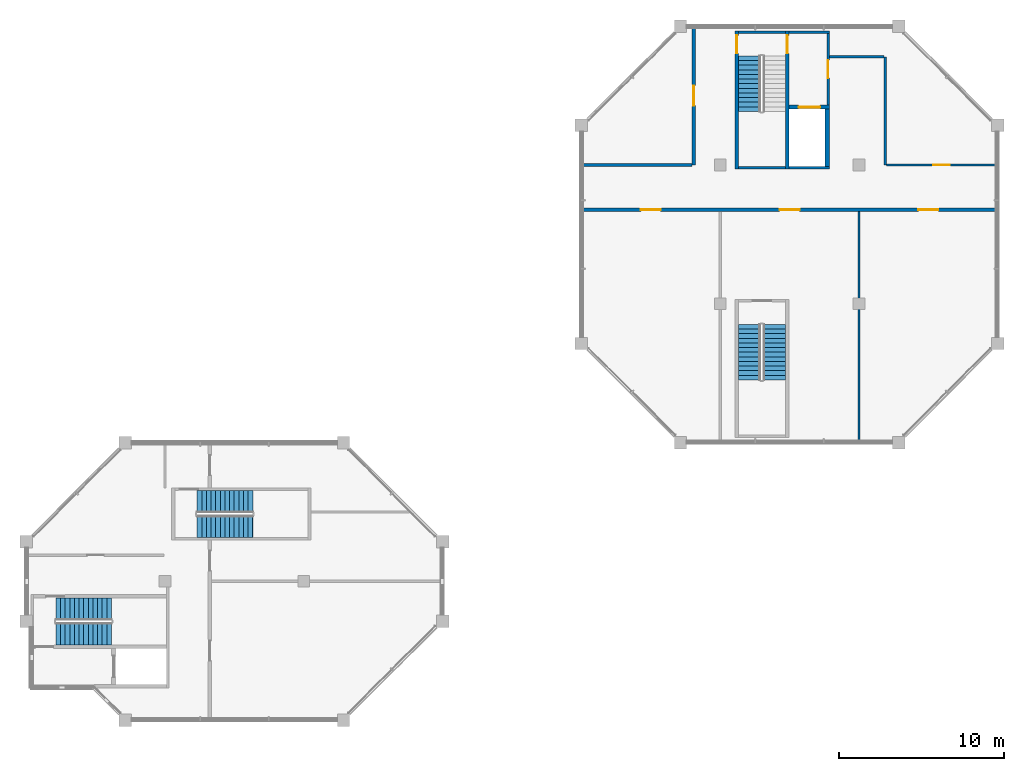
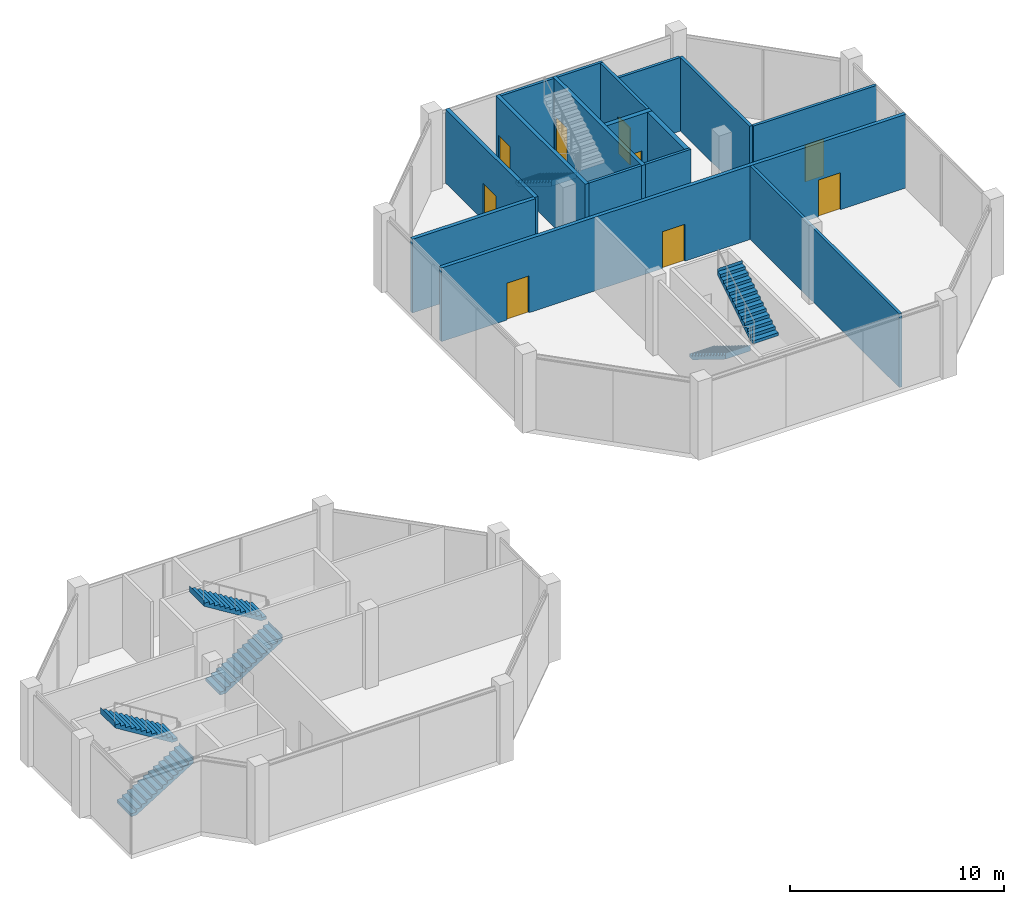
# One storey, part 6 of 9: 16 walls, 9 doors, 7 stair flights, 9 openings, 4 elements without a shape of their own.
"""IFC4 building model written with IfcOpenShell, lengths in metres."""

import ifcopenshell
import ifcopenshell.guid

model = None  # the IFC model being written
_history = None  # IfcOwnerHistory: only IFC2X3 demands one
_inside = {}  # id of a spatial element -> (the spatial element, [elements in it])
_under = {}  # id of a project, library or spatial element -> (it, [spatial elements below it])
_declared = {}  # id of a project -> (the project, [libraries it declares])
_typed = {}  # id of a type object -> (the type object, [elements of that type])
_made_of = {}  # id of a material, layer set ... -> (it, [elements and type objects made of it])


def new_model(schema):
    """Start an empty IFC model of exactly this schema.

    Asked for "IFC4X3", IfcOpenShell would pick the latest addendum, in which some entities
    have other attributes; the version numbers below select the first issue.
    IFC2X3 requires an IfcOwnerHistory on every rooted entity: one is made here for all.
    """
    global model, _history
    if schema == "IFC4X3":
        model = ifcopenshell.file(schema_version=(4, 3, 0, 0))
    else:
        model = ifcopenshell.file(schema=schema)
    _inside.clear()
    _under.clear()
    _declared.clear()
    _typed.clear()
    _made_of.clear()
    _history = None
    if model.schema == "IFC2X3":
        org = make("IfcOrganization", Name="unknown")
        user = make(
            "IfcPersonAndOrganization",
            ThePerson=make("IfcPerson", FamilyName="unknown"),
            TheOrganization=org,
        )
        app = make(
            "IfcApplication",
            ApplicationDeveloper=org,
            Version="unknown",
            ApplicationFullName="unknown",
            ApplicationIdentifier="unknown",
        )
        _history = make(
            "IfcOwnerHistory",
            OwningUser=user,
            OwningApplication=app,
            ChangeAction="ADDED",
            CreationDate=0,
        )
    return model


def make(cls, **values):
    """One entity of the class cls with the attributes given. An attribute that is None is left unset."""
    return model.create_entity(
        cls, **{name: value for name, value in values.items() if value is not None}
    )


def rooted(cls, **values):
    """An entity with a GlobalId (a new one), such as an element, a storey or a relation."""
    return make(cls, GlobalId=ifcopenshell.guid.new(), OwnerHistory=_history, **values)


def si_unit(unit_type, name, prefix=None):
    """IfcSIUnit, for example si_unit("LENGTHUNIT", "METRE", prefix="MILLI")."""
    return make("IfcSIUnit", UnitType=unit_type, Prefix=prefix, Name=name)


def assignment(units):
    """IfcUnitAssignment: the units of a project."""
    return None if units is None else make("IfcUnitAssignment", Units=units)


def point(xyz):
    """IfcCartesianPoint."""
    return None if xyz is None else make("IfcCartesianPoint", Coordinates=xyz)


def direction(xyz):
    """IfcDirection."""
    return None if xyz is None else make("IfcDirection", DirectionRatios=xyz)


def frame(location, z_axis=None, x_axis=None):
    """IfcAxis2Placement3D, a coordinate frame: its origin and axes. An axis left out is left unset."""
    return make(
        "IfcAxis2Placement3D",
        Location=point(location),
        Axis=direction(z_axis),
        RefDirection=direction(x_axis),
    )


def frame_2d(location, x_axis=None):
    """IfcAxis2Placement2D, a coordinate frame in the plane: its origin and x axis."""
    return make(
        "IfcAxis2Placement2D", Location=point(location), RefDirection=direction(x_axis)
    )


def origin():
    """The frame at (0, 0, 0) with its axes left unset."""
    return frame((0.0, 0.0, 0.0))


def place(relative_to, where):
    """IfcLocalPlacement: puts the frame where relative to a parent placement (None: the world)."""
    return make(
        "IfcLocalPlacement", PlacementRelTo=relative_to, RelativePlacement=where
    )


def context(
    kind, dimensions, precision=None, world=None, true_north=None, identifier=None
):
    """IfcGeometricRepresentationContext, for example the 3D "Model" context."""
    return make(
        "IfcGeometricRepresentationContext",
        ContextIdentifier=identifier,
        ContextType=kind,
        CoordinateSpaceDimension=dimensions,
        Precision=precision,
        WorldCoordinateSystem=world,
        TrueNorth=true_north,
    )


def subcontext(parent, identifier, kind, view, scale=None):
    """IfcGeometricRepresentationSubContext, for example "Body" below "Model"."""
    return make(
        "IfcGeometricRepresentationSubContext",
        ContextIdentifier=identifier,
        ContextType=kind,
        ParentContext=parent,
        TargetScale=scale,
        TargetView=view,
    )


def project(units=None, contexts=None):
    """IfcProject with its units and contexts."""
    return rooted(
        "IfcProject",
        Name="project",
        RepresentationContexts=contexts,
        UnitsInContext=assignment(units),
    )


def spatial(cls, under=None, at=None, **own):
    """A site, building, storey or space (cls), placed at a placement, below another one or the project."""
    s = rooted(cls, ObjectPlacement=at, **own)
    if under is not None:
        _under.setdefault(under.id(), (under, []))[1].append(s)
    return s


def polyline(points):
    """IfcPolyline through the points."""
    return make("IfcPolyline", Points=[point(p) for p in points])


def profile(cls, at=None, kind="AREA", **sizes):
    """A parametric profile (cls). Its sizes go by their IFC names, for example OverallWidth=200.0."""
    return make(cls, ProfileType=kind, Position=at, **sizes)


def rectangle(**sizes):
    """IfcRectangleProfileDef."""
    return profile("IfcRectangleProfileDef", **sizes)


def outline(outer, holes=None, kind="AREA"):
    """IfcArbitraryClosedProfileDef: a profile drawn as a closed curve; with holes, ...WithVoids."""
    if holes is None:
        return make("IfcArbitraryClosedProfileDef", ProfileType=kind, OuterCurve=outer)
    return make(
        "IfcArbitraryProfileDefWithVoids",
        ProfileType=kind,
        OuterCurve=outer,
        InnerCurves=holes,
    )


def extrude(swept, where, along, depth):
    """IfcExtrudedAreaSolid: the profile swept, set in the frame where, extruded along a direction by depth."""
    return make(
        "IfcExtrudedAreaSolid",
        SweptArea=swept,
        Position=where,
        ExtrudedDirection=direction(along),
        Depth=depth,
    )


def shape(context_of_items, identifier, shape_type, items):
    """IfcShapeRepresentation: the items that make up one representation, for example the "Body"."""
    return make(
        "IfcShapeRepresentation",
        ContextOfItems=context_of_items,
        RepresentationIdentifier=identifier,
        RepresentationType=shape_type,
        Items=items,
    )


def material(Name=None, Category=None):
    """IfcMaterial."""
    return make("IfcMaterial", Name=Name, Category=Category)


def layer(
    of_material, thickness, ventilated=None, Name=None, Category=None, Priority=None
):
    """IfcMaterialLayer: one layer of a wall or slab, of a material (None: an air gap)."""
    return make(
        "IfcMaterialLayer",
        Material=of_material,
        LayerThickness=thickness,
        IsVentilated=ventilated,
        Name=Name,
        Category=Category,
        Priority=Priority,
    )


def layer_set(layers, Name=None):
    """IfcMaterialLayerSet."""
    return make("IfcMaterialLayerSet", MaterialLayers=layers, LayerSetName=Name)


def made_of(thing, what):
    """Note that an element or type object is made of a material, layer set ...; save() writes the relation."""
    if what is not None:
        _made_of.setdefault(what.id(), (what, []))[1].append(thing)
    return thing


def type_object(cls, material=None, **own):
    """A type object (cls), such as IfcWallType, which elements share."""
    return made_of(rooted(cls, **own), material)


def element(
    cls,
    number,
    at=None,
    inside=None,
    cuts=None,
    type_object=None,
    material=None,
    context=None,
    identifier="Body",
    shape_type=None,
    held_by="IfcProductDefinitionShape",
    body=None,
    shapes=None,
    **own,
):
    """One element of the class cls, such as IfcWall. Its Tag is "e" and its number.

    at: its placement. inside: the storey or other place that contains it. cuts: it is an
    opening in that element (IfcRelVoidsElement). A single representation is given by context,
    identifier, shape_type and body (its items); several are given by shapes. held_by: the class
    of the entity that holds the representations. save() writes the other relations.
    """
    e = rooted(cls, Tag="e%d" % number, ObjectPlacement=at, **own)
    if body is not None:
        shapes = [shape(context, identifier, shape_type, body)]
    if shapes is not None:
        e.Representation = make(held_by, Representations=shapes)
    if inside is not None:
        _inside.setdefault(inside.id(), (inside, []))[1].append(e)
    if cuts is not None:
        rooted(
            "IfcRelVoidsElement", RelatingBuildingElement=cuts, RelatedOpeningElement=e
        )
    if type_object is not None:
        _typed.setdefault(type_object.id(), (type_object, []))[1].append(e)
    return made_of(e, material)


def fill(opening, filler):
    """IfcRelFillsElement: the door or window that sits in an opening."""
    return rooted(
        "IfcRelFillsElement",
        RelatingOpeningElement=opening,
        RelatedBuildingElement=filler,
    )


def aggregate(whole, parts):
    """IfcRelAggregates: a whole, such as a stair, and the parts it consists of."""
    return rooted("IfcRelAggregates", RelatingObject=whole, RelatedObjects=parts)


def save(model, path):
    """Write the relations noted so far, then the file.

    IfcRelAggregates (storeys below a building ...), IfcRelContainedInSpatialStructure (elements
    in a storey), IfcRelDefinesByType, IfcRelAssociatesMaterial and IfcRelDeclares: one each for
    every whole, place, type object, material and project.
    """
    for whole, parts in _under.values():
        aggregate(whole, parts)
    for where, things in _inside.values():
        rooted(
            "IfcRelContainedInSpatialStructure",
            RelatedElements=things,
            RelatingStructure=where,
        )
    for kind, things in _typed.values():
        rooted("IfcRelDefinesByType", RelatedObjects=things, RelatingType=kind)
    for what, things in _made_of.values():
        rooted("IfcRelAssociatesMaterial", RelatedObjects=things, RelatingMaterial=what)
    for by, libraries in _declared.values():
        rooted("IfcRelDeclares", RelatingContext=by, RelatedDefinitions=libraries)
    model.write(path)


model = new_model("IFC4")

# Units and contexts
model_context = context("Model", 3, precision=1e-05, world=origin(), true_north=direction((0.0, 1.0)))
body_context = subcontext(model_context, "Body", "Model", "MODEL_VIEW")
ifc_project = project(units=[si_unit("LENGTHUNIT", "METRE"), si_unit("AREAUNIT", "SQUARE_METRE"), si_unit("VOLUMEUNIT", "CUBIC_METRE"), si_unit("PLANEANGLEUNIT", "RADIAN"), si_unit("MASSUNIT", "GRAM", prefix="KILO")], contexts=[model_context])

# Site, building, storey
site_placement = place(None, origin())
site = spatial("IfcSite", under=ifc_project, at=site_placement, CompositionType="ELEMENT")
building_placement = place(site_placement, origin())
building = spatial("IfcBuilding", under=site, at=building_placement, Name="Kawkab Arch Medical Tower", CompositionType="ELEMENT")
storey_placement = place(building_placement, frame((0.0, 0.0, 345.699951171875)))
storey = spatial("IfcBuildingStorey", under=building, at=storey_placement, Name="L80", CompositionType="ELEMENT", Elevation=345.699951171875)

# Wall, opening, door
ifc_material_1 = material(Name="Gypsum board on steel studs", Category="steel")
ifc_layer_1 = layer(ifc_material_1, 0.14990234375)
ifc_layer_set_1 = layer_set([ifc_layer_1], Name="Gypsum board on steel studs")
wall_type_1 = type_object("IfcWallType", Name="Core room partition 150", PredefinedType="PARTITIONING", material=ifc_layer_set_1)
wall_1_placement = place(storey_placement, frame((48.52490234375, -4.77490234375, 0.0), z_axis=(0.0, 0.0, 1.0), x_axis=(0.0, 1.0, 0.0)))
wall_1 = element("IfcWall", 1, at=wall_1_placement, inside=storey, type_object=wall_type_1, Name="L80 core room partition", PredefinedType="PARTITIONING", context=body_context, shape_type="SweptSolid", body=[
    extrude(rectangle(XDim=4.324951171875, YDim=0.14990234375, at=frame_2d((2.16259765625, 0.0))), origin(), (0.0, 0.0, 1.0), 4.199951171875),
])
opening_1_placement = place(wall_1_placement, frame((1.625, 0.0, 0.0)))
opening_1 = element("IfcOpeningElement", 2, at=opening_1_placement, cuts=wall_1, Name="Opening FD", PredefinedType="OPENING", context=body_context, shape_type="SweptSolid", body=[
    extrude(rectangle(XDim=1.10009765625, YDim=2.10009765625, at=frame_2d((0.550048828125, 1.050048828125))), frame((0.0, 0.0849609375, 0.0), z_axis=(0.0, -1.0, 0.0), x_axis=(1.0, 0.0, 0.0)), (0.0, 0.0, 1.0), 0.169921875),
])
ifc_material_2 = material(Name="Hollow metal fire door leaf")
door_type_1 = type_object("IfcDoorType", Name="Firefighting lobby door 1100", OperationType="SINGLE_SWING_LEFT", PredefinedType="DOOR", material=ifc_material_2)
door_1_placement = place(opening_1_placement, origin())
door_1 = element("IfcDoor", 3, at=door_1_placement, inside=storey, type_object=door_type_1, Name="L80 Service lift lobby door SV1", OperationType="SINGLE_SWING_LEFT", OverallHeight=2.10009765625, OverallWidth=1.10009765625, PredefinedType="DOOR", context=body_context, shape_type="SweptSolid", body=[
    extrude(rectangle(XDim=1.10009765625, YDim=2.10009765625, at=frame_2d((0.550048828125, 1.050048828125))), frame((0.0, 0.02490234375, 0.0), z_axis=(0.0, -1.0, 0.0), x_axis=(1.0, 0.0, 0.0)), (0.0, 0.0, 1.0), 0.050048828125),
])
fill(opening_1, door_1)

ifc_material_3 = material(Name="Concrete C60/75", Category="concrete")
ifc_layer_2 = layer(ifc_material_3, 0.25)
ifc_layer_set_2 = layer_set([ifc_layer_2], Name="Concrete C60/75")
wall_type_2 = type_object("IfcWallType", Name="Core shear wall 250 C60/75", PredefinedType="SHEAR", material=ifc_layer_set_2)
wall_2_placement = place(storey_placement, frame((46.14990234375, -4.89990234375, 0.0), z_axis=(0.0, 0.0, 1.0), x_axis=(1.0, 0.0, 0.0)))
wall_2 = element("IfcWall", 4, at=wall_2_placement, inside=storey, type_object=wall_type_2, Name="L80 core shear wall", PredefinedType="SHEAR", context=body_context, shape_type="SweptSolid", body=[
    extrude(rectangle(XDim=2.4501953125, YDim=0.25, at=frame_2d((1.22509765625, 0.0))), origin(), (0.0, 0.0, 1.0), 4.199951171875),
])
opening_2_placement = place(wall_2_placement, frame((0.60009765625, 0.0, 0.0)))
opening_2 = element("IfcOpeningElement", 5, at=opening_2_placement, cuts=wall_2, Name="Opening LD2", PredefinedType="OPENING", context=body_context, shape_type="SweptSolid", body=[
    extrude(rectangle(XDim=1.300048828125, YDim=2.10009765625, at=frame_2d((0.64990234375, 1.050048828125))), frame((0.0, 0.135009765625, 0.0), z_axis=(0.0, -1.0, 0.0), x_axis=(1.0, 0.0, 0.0)), (0.0, 0.0, 1.0), 0.27001953125),
])
ifc_material_4 = material(Name="Stainless steel lift door leaf", Category="steel")
door_type_2 = type_object("IfcDoorType", Name="Lift landing door 1300", OperationType="DOUBLE_DOOR_SLIDING", PredefinedType="DOOR", material=ifc_material_4)
door_2_placement = place(opening_2_placement, origin())
door_2 = element("IfcDoor", 6, at=door_2_placement, inside=storey, type_object=door_type_2, Name="L80 Lift landing door SV1", OperationType="DOUBLE_DOOR_SLIDING", OverallHeight=2.10009765625, OverallWidth=1.300048828125, PredefinedType="DOOR", context=body_context, shape_type="SweptSolid", body=[
    extrude(rectangle(XDim=1.300048828125, YDim=2.10009765625, at=frame_2d((0.64990234375, 1.050048828125))), frame((0.0, 0.02490234375, 0.0), z_axis=(0.0, -1.0, 0.0), x_axis=(1.0, 0.0, 0.0)), (0.0, 0.0, 1.0), 0.050048828125),
])
fill(opening_2, door_2)

# Wall
wall_3_placement = place(storey_placement, frame((48.47509765625, -8.5, 0.0), z_axis=(0.0, 0.0, 1.0), x_axis=(0.0, 1.0, 0.0)))
element("IfcWall", 7, at=wall_3_placement, inside=storey, type_object=wall_type_2, Name="L80 core shear wall", PredefinedType="SHEAR", context=body_context, shape_type="SweptSolid", body=[
    extrude(rectangle(XDim=3.47509765625, YDim=0.25, at=frame_2d((1.737548828125, 0.0))), origin(), (0.0, 0.0, 1.0), 4.199951171875),
])

# Wall, opening, door
ifc_material_5 = material(Name="Gypsum board partition on steel studs, mineral wool", Category="steel")
ifc_layer_3 = layer(ifc_material_5, 0.14990234375)
ifc_layer_set_3 = layer_set([ifc_layer_3], Name="Gypsum board partition on steel studs, mineral wool")
wall_type_3 = type_object("IfcWallType", Name="Partition 150", PredefinedType="PARTITIONING", material=ifc_layer_set_3)
wall_4_placement = place(storey_placement, frame((52.068115234375, -8.39990234375, 0.0), z_axis=(0.0, 0.0, 1.0), x_axis=(1.0, 0.0, 0.0)))
wall_4 = element("IfcWall", 8, at=wall_4_placement, inside=storey, type_object=wall_type_3, Name="Partition 150 w004", PredefinedType="PARTITIONING", context=body_context, shape_type="SweptSolid", body=[
    extrude(rectangle(XDim=6.65185546875, YDim=0.14990234375, at=frame_2d((3.325927734375, 0.0))), origin(), (0.0, 0.0, 1.0), 4.199951171875),
])
opening_3_placement = place(wall_4_placement, frame((2.8291015625, 0.0, 0.0)))
opening_3 = element("IfcOpeningElement", 9, at=opening_3_placement, cuts=wall_4, Name="Opening C80-001", PredefinedType="OPENING", context=body_context, shape_type="SweptSolid", body=[
    extrude(rectangle(XDim=1.0, YDim=2.10009765625, at=frame_2d((0.5, 1.050048828125))), frame((0.0, 0.0849609375, 0.0), z_axis=(0.0, -1.0, 0.0), x_axis=(1.0, 0.0, 0.0)), (0.0, 0.0, 1.0), 0.169921875),
])
ifc_material_6 = material(Name="Hollow metal door leaf")
door_type_3 = type_object("IfcDoorType", Name="Single door 1000x2100 FD30S", OperationType="NOTDEFINED", PredefinedType="DOOR", material=ifc_material_6)
door_3_placement = place(opening_3_placement, origin())
door_3 = element("IfcDoor", 10, at=door_3_placement, inside=storey, type_object=door_type_3, Name="Door C80-001", OperationType="SINGLE_SWING_RIGHT", OverallHeight=2.10009765625, OverallWidth=1.0, PredefinedType="DOOR", context=body_context, shape_type="SweptSolid", body=[
    extrude(rectangle(XDim=1.0, YDim=2.10009765625, at=frame_2d((0.5, 1.050048828125))), frame((0.0, 0.02490234375, 0.0), z_axis=(0.0, -1.0, 0.0), x_axis=(1.0, 0.0, 0.0)), (0.0, 0.0, 1.0), 0.050048828125),
])
fill(opening_3, door_3)

# Walls
wall_5_placement = place(storey_placement, frame((48.60009765625, -1.85009765625, 0.0), z_axis=(0.0, 0.0, 1.0), x_axis=(1.0, 0.0, 0.0)))
element("IfcWall", 11, at=wall_5_placement, inside=storey, type_object=wall_type_3, Name="Partition 150 w005", PredefinedType="PARTITIONING", context=body_context, shape_type="SweptSolid", body=[
    extrude(rectangle(XDim=3.31591796875, YDim=0.14990234375, at=frame_2d((1.657958984375, 0.0))), origin(), (0.0, 0.0, 1.0), 4.199951171875),
])
wall_6_placement = place(storey_placement, frame((50.39990234375, -25.1201171875, 0.0), z_axis=(0.0, 0.0, 1.0), x_axis=(0.0, 1.0, 0.0)))
element("IfcWall", 12, at=wall_6_placement, inside=storey, type_object=wall_type_3, Name="Partition 150 w008", PredefinedType="PARTITIONING", context=body_context, shape_type="SweptSolid", body=[
    extrude(rectangle(XDim=13.920166015625, YDim=0.14990234375, at=frame_2d((6.9599609375, 0.0))), origin(), (0.0, 0.0, 1.0), 4.199951171875),
])
wall_7_placement = place(storey_placement, frame((51.992919921875, -8.39990234375, 0.0), z_axis=(0.0, 0.0, 1.0), x_axis=(0.0, 1.0, 0.0)))
element("IfcWall", 13, at=wall_7_placement, inside=storey, type_object=wall_type_3, Name="Partition 150 w009", PredefinedType="PARTITIONING", context=body_context, shape_type="SweptSolid", body=[
    extrude(rectangle(XDim=6.5478515625, YDim=0.14990234375, at=frame_2d((3.27392578125, 0.0))), origin(), (0.0, 0.0, 1.0), 4.199951171875),
])

# Wall, openings, doors
ifc_material_7 = material(Name="Fire-rated gypsum board partition on steel studs", Category="steel")
ifc_layer_4 = layer(ifc_material_7, 0.199951171875)
ifc_layer_set_4 = layer_set([ifc_layer_4], Name="Fire-rated gypsum board partition on steel studs")
wall_type_4 = type_object("IfcWallType", Name="Protected partition 200", PredefinedType="PARTITIONING", material=ifc_layer_set_4)
wall_8_placement = place(storey_placement, frame((33.679931640625, -11.10009765625, 0.0), z_axis=(0.0, 0.0, 1.0), x_axis=(1.0, 0.0, 0.0)))
wall_8 = element("IfcWall", 14, at=wall_8_placement, inside=storey, type_object=wall_type_4, Name="Protected partition 200 w010", PredefinedType="PARTITIONING", context=body_context, shape_type="SweptSolid", body=[
    extrude(rectangle(XDim=25.0400390625, YDim=0.199951171875, at=frame_2d((12.52001953125, 0.0))), origin(), (0.0, 0.0, 1.0), 4.199951171875),
])
opening_4_placement = place(wall_8_placement, frame((3.52001953125, 0.0, 0.0)))
opening_4 = element("IfcOpeningElement", 15, at=opening_4_placement, cuts=wall_8, Name="Opening C80-003", PredefinedType="OPENING", context=body_context, shape_type="SweptSolid", body=[
    extrude(rectangle(XDim=1.199951171875, YDim=2.10009765625, at=frame_2d((0.60009765625, 1.050048828125))), frame((0.0, 0.10986328125, 0.0), z_axis=(0.0, -1.0, 0.0), x_axis=(1.0, 0.0, 0.0)), (0.0, 0.0, 1.0), 0.219970703125),
])
opening_5_placement = place(wall_8_placement, frame((11.919921875, 0.0, 0.0)))
opening_5 = element("IfcOpeningElement", 16, at=opening_5_placement, cuts=wall_8, Name="Opening C80-004", PredefinedType="OPENING", context=body_context, shape_type="SweptSolid", body=[
    extrude(rectangle(XDim=1.199951171875, YDim=2.10009765625, at=frame_2d((0.60009765625, 1.050048828125))), frame((0.0, 0.10986328125, 0.0), z_axis=(0.0, -1.0, 0.0), x_axis=(1.0, 0.0, 0.0)), (0.0, 0.0, 1.0), 0.219970703125),
])
opening_6_placement = place(wall_8_placement, frame((20.320068359375, 0.0, 0.0)))
opening_6 = element("IfcOpeningElement", 17, at=opening_6_placement, cuts=wall_8, Name="Opening C80-005", PredefinedType="OPENING", context=body_context, shape_type="SweptSolid", body=[
    extrude(rectangle(XDim=1.199951171875, YDim=2.10009765625, at=frame_2d((0.60009765625, 1.050048828125))), frame((0.0, 0.10986328125, 0.0), z_axis=(0.0, -1.0, 0.0), x_axis=(1.0, 0.0, 0.0)), (0.0, 0.0, 1.0), 0.219970703125),
])
ifc_material_8 = material(Name="Hollow metal door leaf")
door_type_4 = type_object("IfcDoorType", Name="Single door 1200x2100 FD60", OperationType="NOTDEFINED", PredefinedType="DOOR", material=ifc_material_8)
door_4_placement = place(opening_4_placement, origin())
door_4 = element("IfcDoor", 18, at=door_4_placement, inside=storey, type_object=door_type_4, Name="Door C80-003", OperationType="SINGLE_SWING_RIGHT", OverallHeight=2.10009765625, OverallWidth=1.199951171875, PredefinedType="DOOR", context=body_context, shape_type="SweptSolid", body=[
    extrude(rectangle(XDim=1.199951171875, YDim=2.10009765625, at=frame_2d((0.60009765625, 1.050048828125))), frame((0.0, 0.02490234375, 0.0), z_axis=(0.0, -1.0, 0.0), x_axis=(1.0, 0.0, 0.0)), (0.0, 0.0, 1.0), 0.050048828125),
])
fill(opening_4, door_4)
door_5_placement = place(opening_5_placement, origin())
door_5 = element("IfcDoor", 19, at=door_5_placement, inside=storey, type_object=door_type_4, Name="Door C80-004", OperationType="SINGLE_SWING_RIGHT", OverallHeight=2.10009765625, OverallWidth=1.199951171875, PredefinedType="DOOR", context=body_context, shape_type="SweptSolid", body=[
    extrude(rectangle(XDim=1.199951171875, YDim=2.10009765625, at=frame_2d((0.60009765625, 1.050048828125))), frame((0.0, 0.02490234375, 0.0), z_axis=(0.0, -1.0, 0.0), x_axis=(1.0, 0.0, 0.0)), (0.0, 0.0, 1.0), 0.050048828125),
])
fill(opening_5, door_5)
door_6_placement = place(opening_6_placement, origin())
door_6 = element("IfcDoor", 20, at=door_6_placement, inside=storey, type_object=door_type_4, Name="Door C80-005", OperationType="SINGLE_SWING_LEFT", OverallHeight=2.10009765625, OverallWidth=1.199951171875, PredefinedType="DOOR", context=body_context, shape_type="SweptSolid", body=[
    extrude(rectangle(XDim=1.199951171875, YDim=2.10009765625, at=frame_2d((0.60009765625, 1.050048828125))), frame((0.0, 0.02490234375, 0.0), z_axis=(0.0, -1.0, 0.0), x_axis=(1.0, 0.0, 0.0)), (0.0, 0.0, 1.0), 0.050048828125),
])
fill(opening_6, door_6)

# Wall
wall_9_placement = place(storey_placement, frame((33.679931640625, -8.39990234375, 0.0), z_axis=(0.0, 0.0, 1.0), x_axis=(1.0, 0.0, 0.0)))
element("IfcWall", 21, at=wall_9_placement, inside=storey, type_object=wall_type_4, Name="Protected partition 200 w011", PredefinedType="PARTITIONING", context=body_context, shape_type="SweptSolid", body=[
    extrude(rectangle(XDim=6.626953125, YDim=0.199951171875, at=frame_2d((3.3134765625, 0.0))), origin(), (0.0, 0.0, 1.0), 4.199951171875),
])

# Wall, opening, door
wall_10_placement = place(storey_placement, frame((40.406982421875, -8.39990234375, 0.0), z_axis=(0.0, 0.0, 1.0), x_axis=(0.0, 1.0, 0.0)))
wall_10 = element("IfcWall", 22, at=wall_10_placement, inside=storey, type_object=wall_type_4, Name="Protected partition 200 w014", PredefinedType="PARTITIONING", context=body_context, shape_type="SweptSolid", body=[
    extrude(rectangle(XDim=8.31982421875, YDim=0.199951171875, at=frame_2d((4.159912109375, 0.0))), origin(), (0.0, 0.0, 1.0), 4.199951171875),
])
opening_7_placement = place(wall_10_placement, frame((3.60009765625, 0.0, 0.0)))
opening_7 = element("IfcOpeningElement", 23, at=opening_7_placement, cuts=wall_10, Name="Opening C80-006", PredefinedType="OPENING", context=body_context, shape_type="SweptSolid", body=[
    extrude(rectangle(XDim=1.199951171875, YDim=2.10009765625, at=frame_2d((0.60009765625, 1.050048828125))), frame((0.0, 0.10986328125, 0.0), z_axis=(0.0, -1.0, 0.0), x_axis=(1.0, 0.0, 0.0)), (0.0, 0.0, 1.0), 0.219970703125),
])
door_7_placement = place(opening_7_placement, origin())
door_7 = element("IfcDoor", 24, at=door_7_placement, inside=storey, type_object=door_type_4, Name="Door C80-006", OperationType="SINGLE_SWING_LEFT", OverallHeight=2.10009765625, OverallWidth=1.199951171875, PredefinedType="DOOR", context=body_context, shape_type="SweptSolid", body=[
    extrude(rectangle(XDim=1.199951171875, YDim=2.10009765625, at=frame_2d((0.60009765625, 1.050048828125))), frame((0.0, 0.02490234375, 0.0), z_axis=(0.0, -1.0, 0.0), x_axis=(1.0, 0.0, 0.0)), (0.0, 0.0, 1.0), 0.050048828125),
])
fill(opening_7, door_7)

# Walls
ifc_material_9 = material(Name="Concrete C50/60", Category="concrete")
ifc_layer_5 = layer(ifc_material_9, 0.14990234375)
ifc_layer_set_5 = layer_set([ifc_layer_5], Name="Concrete C50/60")
wall_type_5 = type_object("IfcWallType", Name="Stair enclosure wall 150 C50/60", PredefinedType="SHEAR", material=ifc_layer_set_5)
wall_11_placement = place(storey_placement, frame((43.10009765625, -0.375, 0.0), z_axis=(0.0, 0.0, 1.0), x_axis=(1.0, 0.0, 0.0)))
element("IfcWall", 25, at=wall_11_placement, inside=storey, type_object=wall_type_5, Name="L80 stair enclosure wall", PredefinedType="SHEAR", context=body_context, shape_type="SweptSolid", body=[
    extrude(rectangle(XDim=2.849853515625, YDim=0.14990234375, at=frame_2d((1.4248046875, 0.0))), origin(), (0.0, 0.0, 1.0), 4.199951171875),
])
wall_12_placement = place(storey_placement, frame((46.14990234375, -0.375, 0.0), z_axis=(0.0, 0.0, 1.0), x_axis=(1.0, 0.0, 0.0)))
element("IfcWall", 26, at=wall_12_placement, inside=storey, type_object=wall_type_5, Name="L80 stair enclosure wall", PredefinedType="SHEAR", context=body_context, shape_type="SweptSolid", body=[
    extrude(rectangle(XDim=2.4501953125, YDim=0.14990234375, at=frame_2d((1.22509765625, 0.0))), origin(), (0.0, 0.0, 1.0), 4.199951171875),
])
wall_13_placement = place(storey_placement, frame((43.10009765625, -8.574951171875, 0.0), z_axis=(0.0, 0.0, 1.0), x_axis=(1.0, 0.0, 0.0)))
element("IfcWall", 27, at=wall_13_placement, inside=storey, type_object=wall_type_5, Name="L80 stair enclosure wall", PredefinedType="SHEAR", context=body_context, shape_type="SweptSolid", body=[
    extrude(rectangle(XDim=2.849853515625, YDim=0.14990234375, at=frame_2d((1.4248046875, 0.0))), origin(), (0.0, 0.0, 1.0), 4.199951171875),
])
wall_14_placement = place(storey_placement, frame((46.14990234375, -8.574951171875, 0.0), z_axis=(0.0, 0.0, 1.0), x_axis=(1.0, 0.0, 0.0)))
element("IfcWall", 28, at=wall_14_placement, inside=storey, type_object=wall_type_5, Name="L80 stair enclosure wall", PredefinedType="SHEAR", context=body_context, shape_type="SweptSolid", body=[
    extrude(rectangle(XDim=2.4501953125, YDim=0.14990234375, at=frame_2d((1.22509765625, 0.0))), origin(), (0.0, 0.0, 1.0), 4.199951171875),
])

# Wall, opening, door
ifc_material_10 = material(Name="Concrete C50/60", Category="concrete")
ifc_layer_6 = layer(ifc_material_10, 0.199951171875)
ifc_layer_set_6 = layer_set([ifc_layer_6], Name="Concrete C50/60")
wall_type_6 = type_object("IfcWallType", Name="Stair enclosure wall 200 C50/60", PredefinedType="SHEAR", material=ifc_layer_set_6)
wall_15_placement = place(storey_placement, frame((43.0, -8.64990234375, 0.0), z_axis=(0.0, 0.0, 1.0), x_axis=(0.0, 1.0, 0.0)))
wall_15 = element("IfcWall", 29, at=wall_15_placement, inside=storey, type_object=wall_type_6, Name="L80 stair enclosure wall", PredefinedType="SHEAR", context=body_context, shape_type="SweptSolid", body=[
    extrude(rectangle(XDim=8.349853515625, YDim=0.199951171875, at=frame_2d((4.1748046875, 0.0))), origin(), (0.0, 0.0, 1.0), 4.199951171875),
])
opening_8_placement = place(wall_15_placement, frame((7.0, 0.0, 0.0)))
opening_8 = element("IfcOpeningElement", 30, at=opening_8_placement, cuts=wall_15, Name="Opening SD", PredefinedType="OPENING", context=body_context, shape_type="SweptSolid", body=[
    extrude(rectangle(XDim=1.10009765625, YDim=2.10009765625, at=frame_2d((0.550048828125, 1.050048828125))), frame((0.0, 0.10986328125, 0.0), z_axis=(0.0, -1.0, 0.0), x_axis=(1.0, 0.0, 0.0)), (0.0, 0.0, 1.0), 0.219970703125),
])
ifc_material_11 = material(Name="Hollow metal fire door leaf")
door_type_5 = type_object("IfcDoorType", Name="Exit stair door 1100", OperationType="SINGLE_SWING_LEFT", PredefinedType="DOOR", material=ifc_material_11)
door_8_placement = place(opening_8_placement, frame((1.10009765625, 0.0, 0.0), z_axis=(0.0, 0.0, 1.0), x_axis=(-1.0, 0.0, 0.0)))
door_8 = element("IfcDoor", 31, at=door_8_placement, inside=storey, type_object=door_type_5, Name="L80 Exit stair ST5 door", OperationType="SINGLE_SWING_LEFT", OverallHeight=2.10009765625, OverallWidth=1.10009765625, PredefinedType="DOOR", context=body_context, shape_type="SweptSolid", body=[
    extrude(rectangle(XDim=1.10009765625, YDim=2.10009765625, at=frame_2d((0.550048828125, 1.050048828125))), frame((0.0, 0.02490234375, 0.0), z_axis=(0.0, -1.0, 0.0), x_axis=(1.0, 0.0, 0.0)), (0.0, 0.0, 1.0), 0.050048828125),
])
fill(opening_8, door_8)

wall_16_placement = place(storey_placement, frame((46.050048828125, -8.64990234375, 0.0), z_axis=(0.0, 0.0, 1.0), x_axis=(0.0, 1.0, 0.0)))
wall_16 = element("IfcWall", 32, at=wall_16_placement, inside=storey, type_object=wall_type_6, Name="L80 stair enclosure wall", PredefinedType="SHEAR", context=body_context, shape_type="SweptSolid", body=[
    extrude(rectangle(XDim=8.349853515625, YDim=0.199951171875, at=frame_2d((4.1748046875, 0.0))), origin(), (0.0, 0.0, 1.0), 4.199951171875),
])
opening_9_placement = place(wall_16_placement, frame((7.0, 0.0, 0.0)))
opening_9 = element("IfcOpeningElement", 33, at=opening_9_placement, cuts=wall_16, Name="Opening SD", PredefinedType="OPENING", context=body_context, shape_type="SweptSolid", body=[
    extrude(rectangle(XDim=1.10009765625, YDim=2.10009765625, at=frame_2d((0.550048828125, 1.050048828125))), frame((0.0, 0.10986328125, 0.0), z_axis=(0.0, -1.0, 0.0), x_axis=(1.0, 0.0, 0.0)), (0.0, 0.0, 1.0), 0.219970703125),
])
door_9_placement = place(opening_9_placement, origin())
door_9 = element("IfcDoor", 34, at=door_9_placement, inside=storey, type_object=door_type_5, Name="L80 Exit stair ST5 lobby door", OperationType="SINGLE_SWING_LEFT", OverallHeight=2.10009765625, OverallWidth=1.10009765625, PredefinedType="DOOR", context=body_context, shape_type="SweptSolid", body=[
    extrude(rectangle(XDim=1.10009765625, YDim=2.10009765625, at=frame_2d((0.550048828125, 1.050048828125))), frame((0.0, 0.02490234375, 0.0), z_axis=(0.0, -1.0, 0.0), x_axis=(1.0, 0.0, 0.0)), (0.0, 0.0, 1.0), 0.050048828125),
])
fill(opening_9, door_9)

# Stair, stair flight
ifc_material_12 = material(Name="Concrete C40/50", Category="concrete")
stair_type = type_object("IfcStairType", Name="Exit stair 1350", PredefinedType="HALF_TURN_STAIR", material=ifc_material_12)
placement = place(storey_placement, origin())
stair_1 = element("IfcStair", 35, at=placement, inside=storey, type_object=stair_type, Name="L80 Exit stair ST5", PredefinedType="HALF_TURN_STAIR")
ifc_material_13 = material(Name="Concrete C40/50", Category="concrete")
stair_flight_type = type_object("IfcStairFlightType", Name="Exit stair flight 1350", PredefinedType="STRAIGHT", material=ifc_material_13)
stair_flight_1_placement = place(storey_placement, frame((43.77490234375, -1.800048828125, 0.0), z_axis=(0.0, 0.0, 1.0), x_axis=(0.0, -1.0, 0.0)))
stair_flight_1 = element("IfcStairFlight", 36, at=stair_flight_1_placement, type_object=stair_flight_type, Name="ST5 flight 1", NumberOfRisers=13, NumberOfTreads=12, PredefinedType="STRAIGHT", RiserHeight=0.173076923, TreadLength=0.28, context=body_context, shape_type="SweptSolid", body=[
    extrude(outline(polyline([(-0.0029296875, 0.0), (-0.0029296875, 0.173095703125), (0.0, 0.173095703125), (0.280029296875, 0.173095703125), (0.280029296875, 0.34619140625), (0.56005859375, 0.34619140625), (0.56005859375, 0.519287109375), (0.840087890625, 0.519287109375), (0.840087890625, 0.6923828125), (1.1201171875, 0.6923828125), (1.1201171875, 0.865478515625), (1.39990234375, 0.865478515625), (1.39990234375, 1.03857421875), (1.679931640625, 1.03857421875), (1.679931640625, 1.21142578125), (1.9599609375, 1.21142578125), (1.9599609375, 1.384521484375), (2.239990234375, 1.384521484375), (2.239990234375, 1.5576171875), (2.52001953125, 1.5576171875), (2.52001953125, 1.730712890625), (2.800048828125, 1.730712890625), (2.800048828125, 1.90380859375), (3.080078125, 1.90380859375), (3.080078125, 2.076904296875), (3.360107421875, 2.076904296875), (3.360107421875, 2.25), (3.363037109375, 2.25), (3.363037109375, 1.900634765625), (3.360107421875, 1.900634765625), (0.28515625, 0.0), (-0.0029296875, 0.0)])), frame((0.0, 0.675048828125, 0.0), z_axis=(0.0, -1.0, 0.0), x_axis=(1.0, 0.0, 0.0)), (0.0, 0.0, 1.0), 1.35009765625),
])
aggregate(stair_1, [stair_flight_1])

# Stair, stair flights
stair_2 = element("IfcStair", 37, at=placement, inside=storey, type_object=stair_type, Name="L80 Exit stair ST6", PredefinedType="HALF_TURN_STAIR")
stair_flight_2_placement = place(storey_placement, frame((1.800048828125, -36.77490234375, 0.0), z_axis=(0.0, 0.0, 1.0), x_axis=(1.0, 0.0, 0.0)))
stair_flight_2 = element("IfcStairFlight", 38, at=stair_flight_2_placement, type_object=stair_flight_type, Name="ST6 flight 1", NumberOfRisers=13, NumberOfTreads=12, PredefinedType="STRAIGHT", RiserHeight=0.173076923, TreadLength=0.28, context=body_context, shape_type="SweptSolid", body=[
    extrude(outline(polyline([(-0.0029296875, 0.0), (-0.0029296875, 0.173095703125), (0.0, 0.173095703125), (0.280029296875, 0.173095703125), (0.280029296875, 0.34619140625), (0.56005859375, 0.34619140625), (0.56005859375, 0.519287109375), (0.840087890625, 0.519287109375), (0.840087890625, 0.6923828125), (1.1201171875, 0.6923828125), (1.1201171875, 0.865478515625), (1.39990234375, 0.865478515625), (1.39990234375, 1.03857421875), (1.679931640625, 1.03857421875), (1.679931640625, 1.21142578125), (1.9599609375, 1.21142578125), (1.9599609375, 1.384521484375), (2.239990234375, 1.384521484375), (2.239990234375, 1.5576171875), (2.52001953125, 1.5576171875), (2.52001953125, 1.730712890625), (2.800048828125, 1.730712890625), (2.800048828125, 1.90380859375), (3.080078125, 1.90380859375), (3.080078125, 2.076904296875), (3.360107421875, 2.076904296875), (3.360107421875, 2.25), (3.363037109375, 2.25), (3.363037109375, 1.900634765625), (3.360107421875, 1.900634765625), (0.28515625, 0.0), (-0.0029296875, 0.0)])), frame((0.0, 0.675048828125, 0.0), z_axis=(0.0, -1.0, 0.0), x_axis=(1.0, 0.0, 0.0)), (0.0, 0.0, 1.0), 1.35009765625),
])
stair_flight_3_placement = place(storey_placement, frame((5.159912109375, -35.27490234375, 2.25), z_axis=(0.0, 0.0, 1.0), x_axis=(-1.0, 0.0, 0.0)))
stair_flight_3 = element("IfcStairFlight", 39, at=stair_flight_3_placement, type_object=stair_flight_type, Name="ST6 flight 2", NumberOfRisers=13, NumberOfTreads=12, PredefinedType="STRAIGHT", RiserHeight=0.173076923, TreadLength=0.28, context=body_context, shape_type="SweptSolid", body=[
    extrude(outline(polyline([(-0.0029296875, 0.0), (-0.0029296875, 0.173095703125), (0.0, 0.173095703125), (0.280029296875, 0.173095703125), (0.280029296875, 0.34619140625), (0.56005859375, 0.34619140625), (0.56005859375, 0.519287109375), (0.840087890625, 0.519287109375), (0.840087890625, 0.6923828125), (1.1201171875, 0.6923828125), (1.1201171875, 0.865478515625), (1.39990234375, 0.865478515625), (1.39990234375, 1.03857421875), (1.679931640625, 1.03857421875), (1.679931640625, 1.21142578125), (1.9599609375, 1.21142578125), (1.9599609375, 1.384521484375), (2.239990234375, 1.384521484375), (2.239990234375, 1.5576171875), (2.52001953125, 1.5576171875), (2.52001953125, 1.730712890625), (2.800048828125, 1.730712890625), (2.800048828125, 1.90380859375), (3.080078125, 1.90380859375), (3.080078125, 2.076904296875), (3.360107421875, 2.076904296875), (3.360107421875, 2.25), (3.363037109375, 2.25), (3.363037109375, 1.900634765625), (3.360107421875, 1.900634765625), (0.28515625, 0.0), (-0.0029296875, 0.0)])), frame((0.0, 0.675048828125, 0.0), z_axis=(0.0, -1.0, 0.0), x_axis=(1.0, 0.0, 0.0)), (0.0, 0.0, 1.0), 1.35009765625),
])
aggregate(stair_2, [stair_flight_2, stair_flight_3])

stair_3 = element("IfcStair", 40, at=placement, inside=storey, type_object=stair_type, Name="L80 Exit stair ST8", PredefinedType="HALF_TURN_STAIR")
stair_flight_4_placement = place(storey_placement, frame((43.77490234375, -18.050048828125, 0.0), z_axis=(0.0, 0.0, 1.0), x_axis=(0.0, -1.0, 0.0)))
stair_flight_4 = element("IfcStairFlight", 41, at=stair_flight_4_placement, type_object=stair_flight_type, Name="ST8 flight 1", NumberOfRisers=13, NumberOfTreads=12, PredefinedType="STRAIGHT", RiserHeight=0.173076923, TreadLength=0.28, context=body_context, shape_type="SweptSolid", body=[
    extrude(outline(polyline([(-0.0029296875, 0.0), (-0.0029296875, 0.173095703125), (0.0, 0.173095703125), (0.280029296875, 0.173095703125), (0.280029296875, 0.34619140625), (0.56005859375, 0.34619140625), (0.56005859375, 0.519287109375), (0.840087890625, 0.519287109375), (0.840087890625, 0.6923828125), (1.1201171875, 0.6923828125), (1.1201171875, 0.865478515625), (1.39990234375, 0.865478515625), (1.39990234375, 1.03857421875), (1.679931640625, 1.03857421875), (1.679931640625, 1.21142578125), (1.9599609375, 1.21142578125), (1.9599609375, 1.384521484375), (2.239990234375, 1.384521484375), (2.239990234375, 1.5576171875), (2.52001953125, 1.5576171875), (2.52001953125, 1.730712890625), (2.800048828125, 1.730712890625), (2.800048828125, 1.90380859375), (3.080078125, 1.90380859375), (3.080078125, 2.076904296875), (3.360107421875, 2.076904296875), (3.360107421875, 2.25), (3.363037109375, 2.25), (3.363037109375, 1.900634765625), (3.360107421875, 1.900634765625), (0.28515625, 0.0), (-0.0029296875, 0.0)])), frame((0.0, 0.675048828125, 0.0), z_axis=(0.0, -1.0, 0.0), x_axis=(1.0, 0.0, 0.0)), (0.0, 0.0, 1.0), 1.35009765625),
])
stair_flight_5_placement = place(storey_placement, frame((45.27490234375, -21.409912109375, 2.25), z_axis=(0.0, 0.0, 1.0), x_axis=(0.0, 1.0, 0.0)))
stair_flight_5 = element("IfcStairFlight", 42, at=stair_flight_5_placement, type_object=stair_flight_type, Name="ST8 flight 2", NumberOfRisers=13, NumberOfTreads=12, PredefinedType="STRAIGHT", RiserHeight=0.173076923, TreadLength=0.28, context=body_context, shape_type="SweptSolid", body=[
    extrude(outline(polyline([(-0.0029296875, 0.0), (-0.0029296875, 0.173095703125), (0.0, 0.173095703125), (0.280029296875, 0.173095703125), (0.280029296875, 0.34619140625), (0.56005859375, 0.34619140625), (0.56005859375, 0.519287109375), (0.840087890625, 0.519287109375), (0.840087890625, 0.6923828125), (1.1201171875, 0.6923828125), (1.1201171875, 0.865478515625), (1.39990234375, 0.865478515625), (1.39990234375, 1.03857421875), (1.679931640625, 1.03857421875), (1.679931640625, 1.21142578125), (1.9599609375, 1.21142578125), (1.9599609375, 1.384521484375), (2.239990234375, 1.384521484375), (2.239990234375, 1.5576171875), (2.52001953125, 1.5576171875), (2.52001953125, 1.730712890625), (2.800048828125, 1.730712890625), (2.800048828125, 1.90380859375), (3.080078125, 1.90380859375), (3.080078125, 2.076904296875), (3.360107421875, 2.076904296875), (3.360107421875, 2.25), (3.363037109375, 2.25), (3.363037109375, 1.900634765625), (3.360107421875, 1.900634765625), (0.28515625, 0.0), (-0.0029296875, 0.0)])), frame((0.0, 0.675048828125, 0.0), z_axis=(0.0, -1.0, 0.0), x_axis=(1.0, 0.0, 0.0)), (0.0, 0.0, 1.0), 1.35009765625),
])
aggregate(stair_3, [stair_flight_4, stair_flight_5])

stair_4 = element("IfcStair", 43, at=placement, inside=storey, type_object=stair_type, Name="L80 Exit stair ST9", PredefinedType="HALF_TURN_STAIR")
stair_flight_6_placement = place(storey_placement, frame((10.35009765625, -30.27490234375, 0.0), z_axis=(0.0, 0.0, 1.0), x_axis=(1.0, 0.0, 0.0)))
stair_flight_6 = element("IfcStairFlight", 44, at=stair_flight_6_placement, type_object=stair_flight_type, Name="ST9 flight 1", NumberOfRisers=13, NumberOfTreads=12, PredefinedType="STRAIGHT", RiserHeight=0.173076923, TreadLength=0.28, context=body_context, shape_type="SweptSolid", body=[
    extrude(outline(polyline([(-0.0029296875, 0.0), (-0.0029296875, 0.173095703125), (0.0, 0.173095703125), (0.280029296875, 0.173095703125), (0.280029296875, 0.34619140625), (0.56005859375, 0.34619140625), (0.56005859375, 0.519287109375), (0.840087890625, 0.519287109375), (0.840087890625, 0.6923828125), (1.1201171875, 0.6923828125), (1.1201171875, 0.865478515625), (1.39990234375, 0.865478515625), (1.39990234375, 1.03857421875), (1.679931640625, 1.03857421875), (1.679931640625, 1.21142578125), (1.9599609375, 1.21142578125), (1.9599609375, 1.384521484375), (2.239990234375, 1.384521484375), (2.239990234375, 1.5576171875), (2.52001953125, 1.5576171875), (2.52001953125, 1.730712890625), (2.800048828125, 1.730712890625), (2.800048828125, 1.90380859375), (3.080078125, 1.90380859375), (3.080078125, 2.076904296875), (3.360107421875, 2.076904296875), (3.360107421875, 2.25), (3.363037109375, 2.25), (3.363037109375, 1.900634765625), (3.360107421875, 1.900634765625), (0.28515625, 0.0), (-0.0029296875, 0.0)])), frame((0.0, 0.675048828125, 0.0), z_axis=(0.0, -1.0, 0.0), x_axis=(1.0, 0.0, 0.0)), (0.0, 0.0, 1.0), 1.35009765625),
])
stair_flight_7_placement = place(storey_placement, frame((13.7099609375, -28.77490234375, 2.25), z_axis=(0.0, 0.0, 1.0), x_axis=(-1.0, 0.0, 0.0)))
stair_flight_7 = element("IfcStairFlight", 45, at=stair_flight_7_placement, type_object=stair_flight_type, Name="ST9 flight 2", NumberOfRisers=13, NumberOfTreads=12, PredefinedType="STRAIGHT", RiserHeight=0.173076923, TreadLength=0.28, context=body_context, shape_type="SweptSolid", body=[
    extrude(outline(polyline([(-0.0029296875, 0.0), (-0.0029296875, 0.173095703125), (0.0, 0.173095703125), (0.280029296875, 0.173095703125), (0.280029296875, 0.34619140625), (0.56005859375, 0.34619140625), (0.56005859375, 0.519287109375), (0.840087890625, 0.519287109375), (0.840087890625, 0.6923828125), (1.1201171875, 0.6923828125), (1.1201171875, 0.865478515625), (1.39990234375, 0.865478515625), (1.39990234375, 1.03857421875), (1.679931640625, 1.03857421875), (1.679931640625, 1.21142578125), (1.9599609375, 1.21142578125), (1.9599609375, 1.384521484375), (2.239990234375, 1.384521484375), (2.239990234375, 1.5576171875), (2.52001953125, 1.5576171875), (2.52001953125, 1.730712890625), (2.800048828125, 1.730712890625), (2.800048828125, 1.90380859375), (3.080078125, 1.90380859375), (3.080078125, 2.076904296875), (3.360107421875, 2.076904296875), (3.360107421875, 2.25), (3.363037109375, 2.25), (3.363037109375, 1.900634765625), (3.360107421875, 1.900634765625), (0.28515625, 0.0), (-0.0029296875, 0.0)])), frame((0.0, 0.675048828125, 0.0), z_axis=(0.0, -1.0, 0.0), x_axis=(1.0, 0.0, 0.0)), (0.0, 0.0, 1.0), 1.35009765625),
])
aggregate(stair_4, [stair_flight_6, stair_flight_7])

save(model, "model.ifc")
